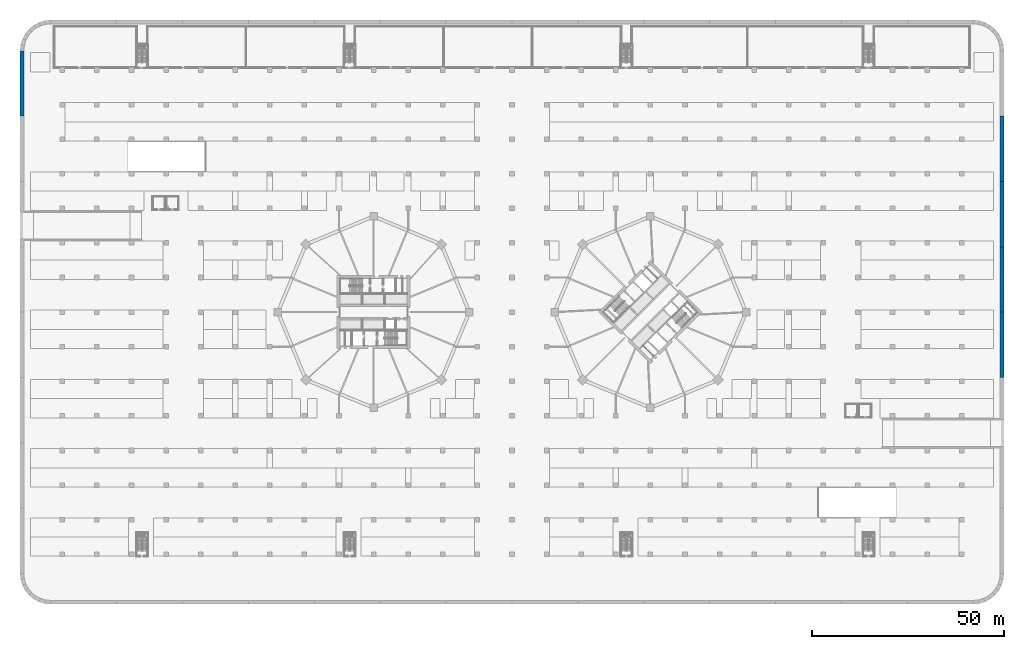
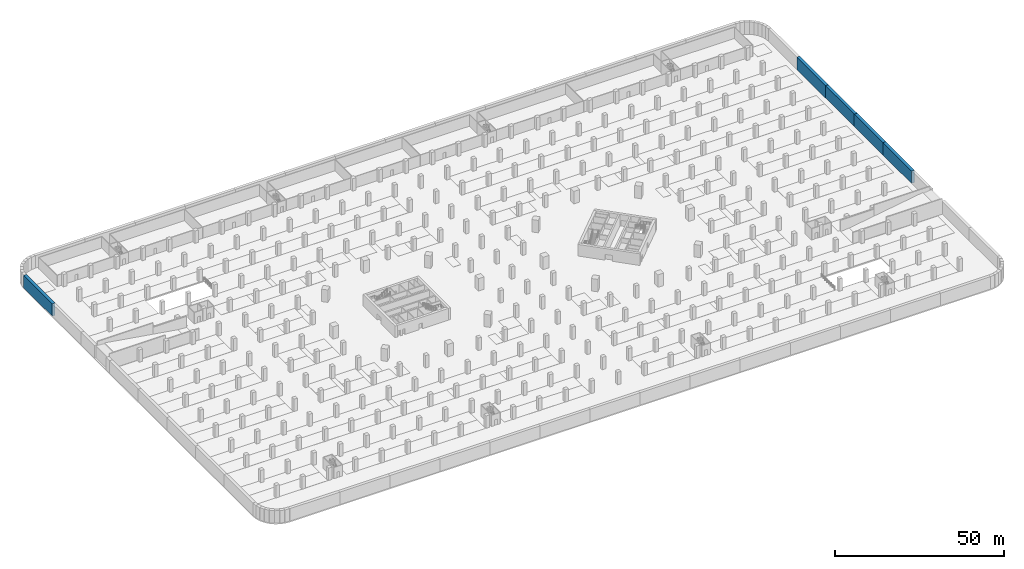
# One storey, part 15 of 34: 5 walls.
"""IFC4 building model written with IfcOpenShell, lengths in metres."""

import ifcopenshell
import ifcopenshell.guid

model = None  # the IFC model being written
_history = None  # IfcOwnerHistory: only IFC2X3 demands one
_inside = {}  # id of a spatial element -> (the spatial element, [elements in it])
_under = {}  # id of a project, library or spatial element -> (it, [spatial elements below it])
_declared = {}  # id of a project -> (the project, [libraries it declares])
_typed = {}  # id of a type object -> (the type object, [elements of that type])
_made_of = {}  # id of a material, layer set ... -> (it, [elements and type objects made of it])


def new_model(schema):
    """Start an empty IFC model of exactly this schema.

    Asked for "IFC4X3", IfcOpenShell would pick the latest addendum, in which some entities
    have other attributes; the version numbers below select the first issue.
    IFC2X3 requires an IfcOwnerHistory on every rooted entity: one is made here for all.
    """
    global model, _history
    if schema == "IFC4X3":
        model = ifcopenshell.file(schema_version=(4, 3, 0, 0))
    else:
        model = ifcopenshell.file(schema=schema)
    _inside.clear()
    _under.clear()
    _declared.clear()
    _typed.clear()
    _made_of.clear()
    _history = None
    if model.schema == "IFC2X3":
        org = make("IfcOrganization", Name="unknown")
        user = make(
            "IfcPersonAndOrganization",
            ThePerson=make("IfcPerson", FamilyName="unknown"),
            TheOrganization=org,
        )
        app = make(
            "IfcApplication",
            ApplicationDeveloper=org,
            Version="unknown",
            ApplicationFullName="unknown",
            ApplicationIdentifier="unknown",
        )
        _history = make(
            "IfcOwnerHistory",
            OwningUser=user,
            OwningApplication=app,
            ChangeAction="ADDED",
            CreationDate=0,
        )
    return model


def make(cls, **values):
    """One entity of the class cls with the attributes given. An attribute that is None is left unset."""
    return model.create_entity(
        cls, **{name: value for name, value in values.items() if value is not None}
    )


def rooted(cls, **values):
    """An entity with a GlobalId (a new one), such as an element, a storey or a relation."""
    return make(cls, GlobalId=ifcopenshell.guid.new(), OwnerHistory=_history, **values)


def si_unit(unit_type, name, prefix=None):
    """IfcSIUnit, for example si_unit("LENGTHUNIT", "METRE", prefix="MILLI")."""
    return make("IfcSIUnit", UnitType=unit_type, Prefix=prefix, Name=name)


def assignment(units):
    """IfcUnitAssignment: the units of a project."""
    return None if units is None else make("IfcUnitAssignment", Units=units)


def point(xyz):
    """IfcCartesianPoint."""
    return None if xyz is None else make("IfcCartesianPoint", Coordinates=xyz)


def direction(xyz):
    """IfcDirection."""
    return None if xyz is None else make("IfcDirection", DirectionRatios=xyz)


def frame(location, z_axis=None, x_axis=None):
    """IfcAxis2Placement3D, a coordinate frame: its origin and axes. An axis left out is left unset."""
    return make(
        "IfcAxis2Placement3D",
        Location=point(location),
        Axis=direction(z_axis),
        RefDirection=direction(x_axis),
    )


def frame_2d(location, x_axis=None):
    """IfcAxis2Placement2D, a coordinate frame in the plane: its origin and x axis."""
    return make(
        "IfcAxis2Placement2D", Location=point(location), RefDirection=direction(x_axis)
    )


def origin():
    """The frame at (0, 0, 0) with its axes left unset."""
    return frame((0.0, 0.0, 0.0))


def place(relative_to, where):
    """IfcLocalPlacement: puts the frame where relative to a parent placement (None: the world)."""
    return make(
        "IfcLocalPlacement", PlacementRelTo=relative_to, RelativePlacement=where
    )


def context(
    kind, dimensions, precision=None, world=None, true_north=None, identifier=None
):
    """IfcGeometricRepresentationContext, for example the 3D "Model" context."""
    return make(
        "IfcGeometricRepresentationContext",
        ContextIdentifier=identifier,
        ContextType=kind,
        CoordinateSpaceDimension=dimensions,
        Precision=precision,
        WorldCoordinateSystem=world,
        TrueNorth=true_north,
    )


def subcontext(parent, identifier, kind, view, scale=None):
    """IfcGeometricRepresentationSubContext, for example "Body" below "Model"."""
    return make(
        "IfcGeometricRepresentationSubContext",
        ContextIdentifier=identifier,
        ContextType=kind,
        ParentContext=parent,
        TargetScale=scale,
        TargetView=view,
    )


def project(units=None, contexts=None):
    """IfcProject with its units and contexts."""
    return rooted(
        "IfcProject",
        Name="project",
        RepresentationContexts=contexts,
        UnitsInContext=assignment(units),
    )


def spatial(cls, under=None, at=None, **own):
    """A site, building, storey or space (cls), placed at a placement, below another one or the project."""
    s = rooted(cls, ObjectPlacement=at, **own)
    if under is not None:
        _under.setdefault(under.id(), (under, []))[1].append(s)
    return s


def profile(cls, at=None, kind="AREA", **sizes):
    """A parametric profile (cls). Its sizes go by their IFC names, for example OverallWidth=200.0."""
    return make(cls, ProfileType=kind, Position=at, **sizes)


def rectangle(**sizes):
    """IfcRectangleProfileDef."""
    return profile("IfcRectangleProfileDef", **sizes)


def extrude(swept, where, along, depth):
    """IfcExtrudedAreaSolid: the profile swept, set in the frame where, extruded along a direction by depth."""
    return make(
        "IfcExtrudedAreaSolid",
        SweptArea=swept,
        Position=where,
        ExtrudedDirection=direction(along),
        Depth=depth,
    )


def shape(context_of_items, identifier, shape_type, items):
    """IfcShapeRepresentation: the items that make up one representation, for example the "Body"."""
    return make(
        "IfcShapeRepresentation",
        ContextOfItems=context_of_items,
        RepresentationIdentifier=identifier,
        RepresentationType=shape_type,
        Items=items,
    )


def material(Name=None, Category=None):
    """IfcMaterial."""
    return make("IfcMaterial", Name=Name, Category=Category)


def layer(
    of_material, thickness, ventilated=None, Name=None, Category=None, Priority=None
):
    """IfcMaterialLayer: one layer of a wall or slab, of a material (None: an air gap)."""
    return make(
        "IfcMaterialLayer",
        Material=of_material,
        LayerThickness=thickness,
        IsVentilated=ventilated,
        Name=Name,
        Category=Category,
        Priority=Priority,
    )


def layer_set(layers, Name=None):
    """IfcMaterialLayerSet."""
    return make("IfcMaterialLayerSet", MaterialLayers=layers, LayerSetName=Name)


def made_of(thing, what):
    """Note that an element or type object is made of a material, layer set ...; save() writes the relation."""
    if what is not None:
        _made_of.setdefault(what.id(), (what, []))[1].append(thing)
    return thing


def type_object(cls, material=None, **own):
    """A type object (cls), such as IfcWallType, which elements share."""
    return made_of(rooted(cls, **own), material)


def element(
    cls,
    number,
    at=None,
    inside=None,
    cuts=None,
    type_object=None,
    material=None,
    context=None,
    identifier="Body",
    shape_type=None,
    held_by="IfcProductDefinitionShape",
    body=None,
    shapes=None,
    **own,
):
    """One element of the class cls, such as IfcWall. Its Tag is "e" and its number.

    at: its placement. inside: the storey or other place that contains it. cuts: it is an
    opening in that element (IfcRelVoidsElement). A single representation is given by context,
    identifier, shape_type and body (its items); several are given by shapes. held_by: the class
    of the entity that holds the representations. save() writes the other relations.
    """
    e = rooted(cls, Tag="e%d" % number, ObjectPlacement=at, **own)
    if body is not None:
        shapes = [shape(context, identifier, shape_type, body)]
    if shapes is not None:
        e.Representation = make(held_by, Representations=shapes)
    if inside is not None:
        _inside.setdefault(inside.id(), (inside, []))[1].append(e)
    if cuts is not None:
        rooted(
            "IfcRelVoidsElement", RelatingBuildingElement=cuts, RelatedOpeningElement=e
        )
    if type_object is not None:
        _typed.setdefault(type_object.id(), (type_object, []))[1].append(e)
    return made_of(e, material)


def aggregate(whole, parts):
    """IfcRelAggregates: a whole, such as a stair, and the parts it consists of."""
    return rooted("IfcRelAggregates", RelatingObject=whole, RelatedObjects=parts)


def save(model, path):
    """Write the relations noted so far, then the file.

    IfcRelAggregates (storeys below a building ...), IfcRelContainedInSpatialStructure (elements
    in a storey), IfcRelDefinesByType, IfcRelAssociatesMaterial and IfcRelDeclares: one each for
    every whole, place, type object, material and project.
    """
    for whole, parts in _under.values():
        aggregate(whole, parts)
    for where, things in _inside.values():
        rooted(
            "IfcRelContainedInSpatialStructure",
            RelatedElements=things,
            RelatingStructure=where,
        )
    for kind, things in _typed.values():
        rooted("IfcRelDefinesByType", RelatedObjects=things, RelatingType=kind)
    for what, things in _made_of.values():
        rooted("IfcRelAssociatesMaterial", RelatedObjects=things, RelatingMaterial=what)
    for by, libraries in _declared.values():
        rooted("IfcRelDeclares", RelatingContext=by, RelatedDefinitions=libraries)
    model.write(path)


model = new_model("IFC4")

# Units and contexts
model_context = context("Model", 3, precision=1e-05, world=origin(), true_north=direction((0.0, 1.0)))
body_context = subcontext(model_context, "Body", "Model", "MODEL_VIEW")
ifc_project = project(units=[si_unit("LENGTHUNIT", "METRE"), si_unit("AREAUNIT", "SQUARE_METRE"), si_unit("VOLUMEUNIT", "CUBIC_METRE"), si_unit("PLANEANGLEUNIT", "RADIAN"), si_unit("MASSUNIT", "GRAM", prefix="KILO")], contexts=[model_context])

# Site, building, storey
site_placement = place(None, origin())
site = spatial("IfcSite", under=ifc_project, at=site_placement, CompositionType="ELEMENT")
building_placement = place(site_placement, origin())
building = spatial("IfcBuilding", under=site, at=building_placement, Name="Ogive Gate Towers", CompositionType="ELEMENT")
storey_placement = place(building_placement, frame((0.0, 0.0, -4.5)))
storey = spatial("IfcBuildingStorey", under=building, at=storey_placement, Name="B1", CompositionType="ELEMENT", Elevation=-4.5)

# Walls
ifc_material = material(Name="Concrete C40/50", Category="concrete")
ifc_layer = layer(ifc_material, 1.0)
ifc_layer_set = layer_set([ifc_layer], Name="Retaining wall 1000")
wall_type = type_object("IfcWallType", Name="Retaining wall 1000", PredefinedType="SOLIDWALL", material=ifc_layer_set)
wall_placement = place(storey_placement, frame((-127.5, 50.981689453125, 0.0), z_axis=(0.0, 0.0, 1.0), x_axis=(0.0, 1.0, 0.0)))
element("IfcWall", 1, at=wall_placement, inside=storey, type_object=wall_type, Name="BS/B1/SWL031", PredefinedType="SOLIDWALL", context=body_context, shape_type="SweptSolid", body=[
    extrude(rectangle(XDim=16.99365234375, YDim=1.0, at=frame_2d((8.496826171875, 0.0))), origin(), (0.0, 0.0, 1.0), 4.5),
])
for number, where, z_axis, x_axis, name in (
    (2, (127.5, 50.981689453125, 0.0), (0.0, 0.0, 1.0), (0.0, -1.0, 0.0), "BS/B1/SWL063"),
    (3, (127.5, 33.98779296875, 0.0), (0.0, 0.0, 1.0), (0.0, -1.0, 0.0), "BS/B1/SWL064"),
    (4, (127.5, 16.993896484375, 0.0), (0.0, 0.0, 1.0), (0.0, -1.0, 0.0), "BS/B1/SWL065"),
    (5, (127.5, 0.0, 0.0), (0.0, 0.0, 1.0), (0.0, -1.0, 0.0), "BS/B1/SWL066"),
):
    element("IfcWall", number, at=place(storey_placement, frame(where, z_axis=z_axis, x_axis=x_axis)), inside=storey, type_object=wall_type, Name=name, PredefinedType="SOLIDWALL", context=body_context, shape_type="SweptSolid", body=[
        extrude(rectangle(XDim=16.993896484375, YDim=1.0, at=frame_2d((8.4970703125, 0.0))), origin(), (0.0, 0.0, 1.0), 4.5),
    ])

save(model, "model.ifc")
